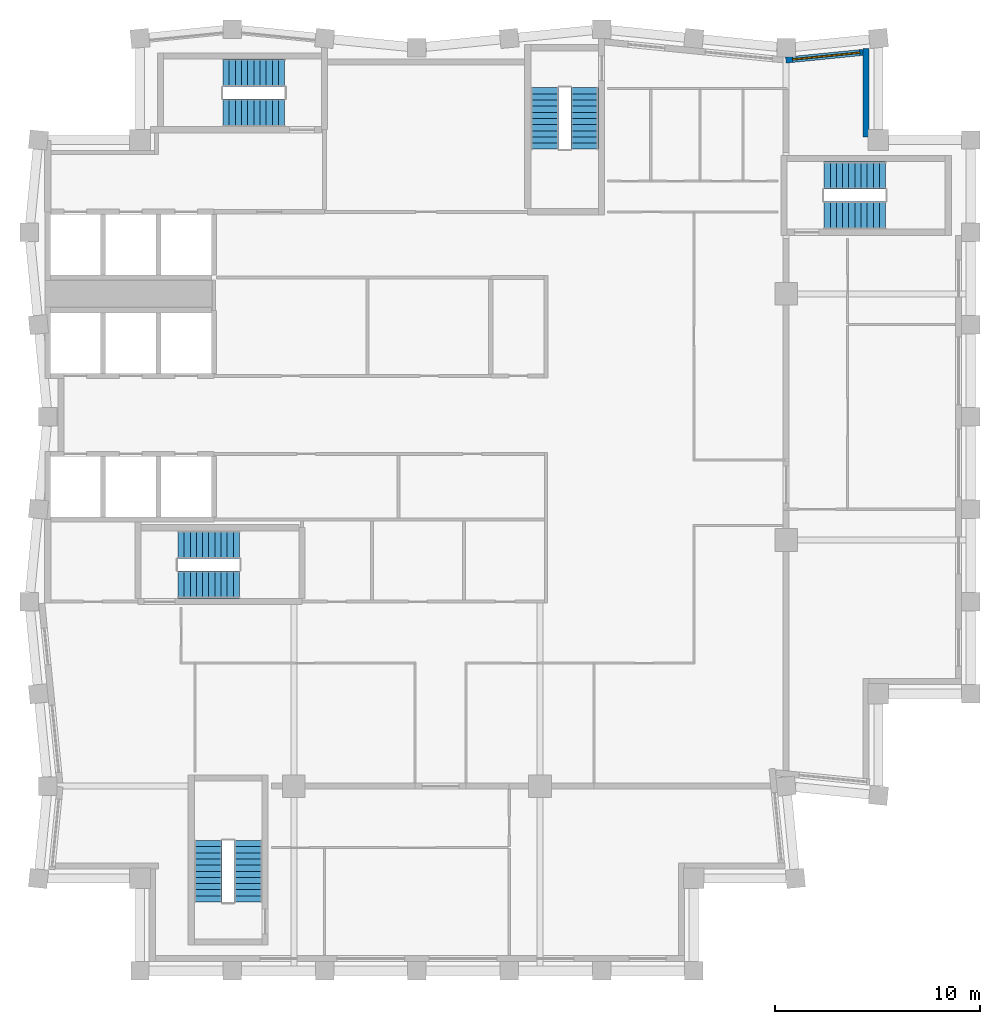
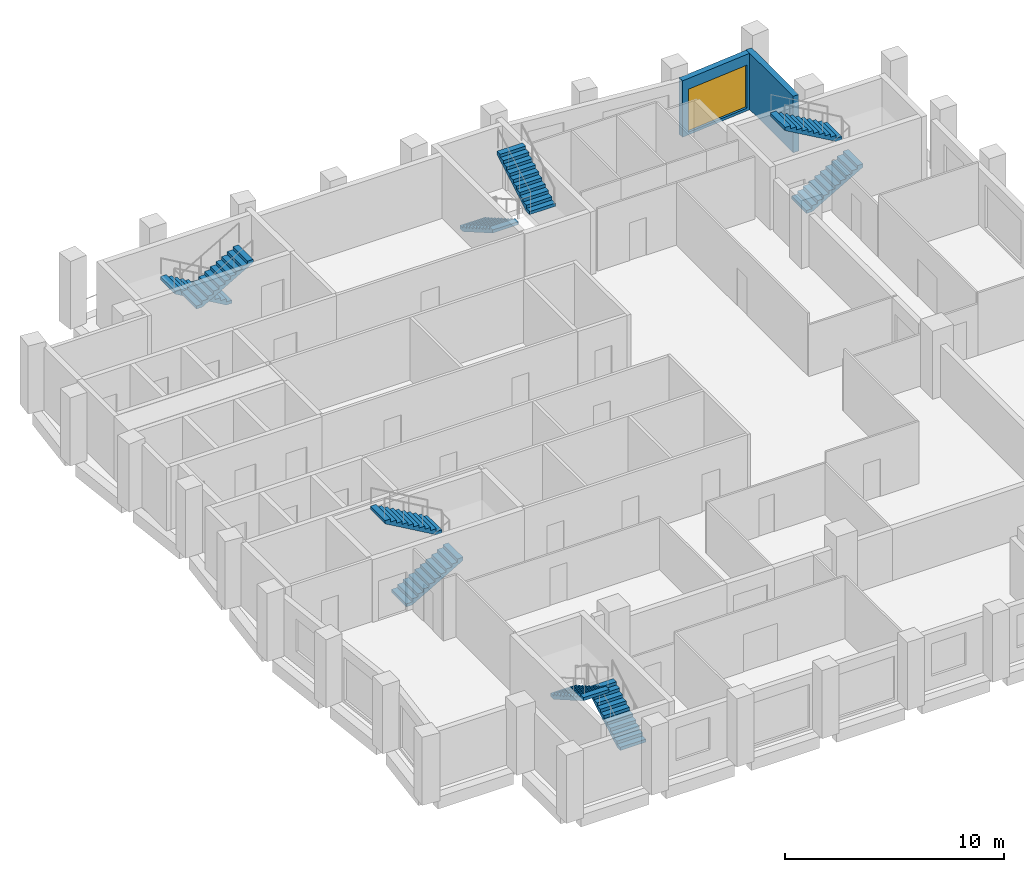
# One storey, part 6 of 7: 10 stair flights, 2 walls, 1 window, 1 opening, 5 elements without a shape of their own.
"""IFC4 building model written with IfcOpenShell, lengths in metres."""

import ifcopenshell
import ifcopenshell.guid

model = None  # the IFC model being written
_history = None  # IfcOwnerHistory: only IFC2X3 demands one
_inside = {}  # id of a spatial element -> (the spatial element, [elements in it])
_under = {}  # id of a project, library or spatial element -> (it, [spatial elements below it])
_declared = {}  # id of a project -> (the project, [libraries it declares])
_typed = {}  # id of a type object -> (the type object, [elements of that type])
_made_of = {}  # id of a material, layer set ... -> (it, [elements and type objects made of it])


def new_model(schema):
    """Start an empty IFC model of exactly this schema.

    Asked for "IFC4X3", IfcOpenShell would pick the latest addendum, in which some entities
    have other attributes; the version numbers below select the first issue.
    IFC2X3 requires an IfcOwnerHistory on every rooted entity: one is made here for all.
    """
    global model, _history
    if schema == "IFC4X3":
        model = ifcopenshell.file(schema_version=(4, 3, 0, 0))
    else:
        model = ifcopenshell.file(schema=schema)
    _inside.clear()
    _under.clear()
    _declared.clear()
    _typed.clear()
    _made_of.clear()
    _history = None
    if model.schema == "IFC2X3":
        org = make("IfcOrganization", Name="unknown")
        user = make(
            "IfcPersonAndOrganization",
            ThePerson=make("IfcPerson", FamilyName="unknown"),
            TheOrganization=org,
        )
        app = make(
            "IfcApplication",
            ApplicationDeveloper=org,
            Version="unknown",
            ApplicationFullName="unknown",
            ApplicationIdentifier="unknown",
        )
        _history = make(
            "IfcOwnerHistory",
            OwningUser=user,
            OwningApplication=app,
            ChangeAction="ADDED",
            CreationDate=0,
        )
    return model


def make(cls, **values):
    """One entity of the class cls with the attributes given. An attribute that is None is left unset."""
    return model.create_entity(
        cls, **{name: value for name, value in values.items() if value is not None}
    )


def rooted(cls, **values):
    """An entity with a GlobalId (a new one), such as an element, a storey or a relation."""
    return make(cls, GlobalId=ifcopenshell.guid.new(), OwnerHistory=_history, **values)


def si_unit(unit_type, name, prefix=None):
    """IfcSIUnit, for example si_unit("LENGTHUNIT", "METRE", prefix="MILLI")."""
    return make("IfcSIUnit", UnitType=unit_type, Prefix=prefix, Name=name)


def assignment(units):
    """IfcUnitAssignment: the units of a project."""
    return None if units is None else make("IfcUnitAssignment", Units=units)


def point(xyz):
    """IfcCartesianPoint."""
    return None if xyz is None else make("IfcCartesianPoint", Coordinates=xyz)


def direction(xyz):
    """IfcDirection."""
    return None if xyz is None else make("IfcDirection", DirectionRatios=xyz)


def frame(location, z_axis=None, x_axis=None):
    """IfcAxis2Placement3D, a coordinate frame: its origin and axes. An axis left out is left unset."""
    return make(
        "IfcAxis2Placement3D",
        Location=point(location),
        Axis=direction(z_axis),
        RefDirection=direction(x_axis),
    )


def frame_2d(location, x_axis=None):
    """IfcAxis2Placement2D, a coordinate frame in the plane: its origin and x axis."""
    return make(
        "IfcAxis2Placement2D", Location=point(location), RefDirection=direction(x_axis)
    )


def origin():
    """The frame at (0, 0, 0) with its axes left unset."""
    return frame((0.0, 0.0, 0.0))


def place(relative_to, where):
    """IfcLocalPlacement: puts the frame where relative to a parent placement (None: the world)."""
    return make(
        "IfcLocalPlacement", PlacementRelTo=relative_to, RelativePlacement=where
    )


def context(
    kind, dimensions, precision=None, world=None, true_north=None, identifier=None
):
    """IfcGeometricRepresentationContext, for example the 3D "Model" context."""
    return make(
        "IfcGeometricRepresentationContext",
        ContextIdentifier=identifier,
        ContextType=kind,
        CoordinateSpaceDimension=dimensions,
        Precision=precision,
        WorldCoordinateSystem=world,
        TrueNorth=true_north,
    )


def subcontext(parent, identifier, kind, view, scale=None):
    """IfcGeometricRepresentationSubContext, for example "Body" below "Model"."""
    return make(
        "IfcGeometricRepresentationSubContext",
        ContextIdentifier=identifier,
        ContextType=kind,
        ParentContext=parent,
        TargetScale=scale,
        TargetView=view,
    )


def project(units=None, contexts=None):
    """IfcProject with its units and contexts."""
    return rooted(
        "IfcProject",
        Name="project",
        RepresentationContexts=contexts,
        UnitsInContext=assignment(units),
    )


def spatial(cls, under=None, at=None, **own):
    """A site, building, storey or space (cls), placed at a placement, below another one or the project."""
    s = rooted(cls, ObjectPlacement=at, **own)
    if under is not None:
        _under.setdefault(under.id(), (under, []))[1].append(s)
    return s


def polyline(points):
    """IfcPolyline through the points."""
    return make("IfcPolyline", Points=[point(p) for p in points])


def profile(cls, at=None, kind="AREA", **sizes):
    """A parametric profile (cls). Its sizes go by their IFC names, for example OverallWidth=200.0."""
    return make(cls, ProfileType=kind, Position=at, **sizes)


def rectangle(**sizes):
    """IfcRectangleProfileDef."""
    return profile("IfcRectangleProfileDef", **sizes)


def outline(outer, holes=None, kind="AREA"):
    """IfcArbitraryClosedProfileDef: a profile drawn as a closed curve; with holes, ...WithVoids."""
    if holes is None:
        return make("IfcArbitraryClosedProfileDef", ProfileType=kind, OuterCurve=outer)
    return make(
        "IfcArbitraryProfileDefWithVoids",
        ProfileType=kind,
        OuterCurve=outer,
        InnerCurves=holes,
    )


def extrude(swept, where, along, depth):
    """IfcExtrudedAreaSolid: the profile swept, set in the frame where, extruded along a direction by depth."""
    return make(
        "IfcExtrudedAreaSolid",
        SweptArea=swept,
        Position=where,
        ExtrudedDirection=direction(along),
        Depth=depth,
    )


def shape(context_of_items, identifier, shape_type, items):
    """IfcShapeRepresentation: the items that make up one representation, for example the "Body"."""
    return make(
        "IfcShapeRepresentation",
        ContextOfItems=context_of_items,
        RepresentationIdentifier=identifier,
        RepresentationType=shape_type,
        Items=items,
    )


def material(Name=None, Category=None):
    """IfcMaterial."""
    return make("IfcMaterial", Name=Name, Category=Category)


def layer(
    of_material, thickness, ventilated=None, Name=None, Category=None, Priority=None
):
    """IfcMaterialLayer: one layer of a wall or slab, of a material (None: an air gap)."""
    return make(
        "IfcMaterialLayer",
        Material=of_material,
        LayerThickness=thickness,
        IsVentilated=ventilated,
        Name=Name,
        Category=Category,
        Priority=Priority,
    )


def layer_set(layers, Name=None):
    """IfcMaterialLayerSet."""
    return make("IfcMaterialLayerSet", MaterialLayers=layers, LayerSetName=Name)


def made_of(thing, what):
    """Note that an element or type object is made of a material, layer set ...; save() writes the relation."""
    if what is not None:
        _made_of.setdefault(what.id(), (what, []))[1].append(thing)
    return thing


def type_object(cls, material=None, **own):
    """A type object (cls), such as IfcWallType, which elements share."""
    return made_of(rooted(cls, **own), material)


def element(
    cls,
    number,
    at=None,
    inside=None,
    cuts=None,
    type_object=None,
    material=None,
    context=None,
    identifier="Body",
    shape_type=None,
    held_by="IfcProductDefinitionShape",
    body=None,
    shapes=None,
    **own,
):
    """One element of the class cls, such as IfcWall. Its Tag is "e" and its number.

    at: its placement. inside: the storey or other place that contains it. cuts: it is an
    opening in that element (IfcRelVoidsElement). A single representation is given by context,
    identifier, shape_type and body (its items); several are given by shapes. held_by: the class
    of the entity that holds the representations. save() writes the other relations.
    """
    e = rooted(cls, Tag="e%d" % number, ObjectPlacement=at, **own)
    if body is not None:
        shapes = [shape(context, identifier, shape_type, body)]
    if shapes is not None:
        e.Representation = make(held_by, Representations=shapes)
    if inside is not None:
        _inside.setdefault(inside.id(), (inside, []))[1].append(e)
    if cuts is not None:
        rooted(
            "IfcRelVoidsElement", RelatingBuildingElement=cuts, RelatedOpeningElement=e
        )
    if type_object is not None:
        _typed.setdefault(type_object.id(), (type_object, []))[1].append(e)
    return made_of(e, material)


def fill(opening, filler):
    """IfcRelFillsElement: the door or window that sits in an opening."""
    return rooted(
        "IfcRelFillsElement",
        RelatingOpeningElement=opening,
        RelatedBuildingElement=filler,
    )


def aggregate(whole, parts):
    """IfcRelAggregates: a whole, such as a stair, and the parts it consists of."""
    return rooted("IfcRelAggregates", RelatingObject=whole, RelatedObjects=parts)


def save(model, path):
    """Write the relations noted so far, then the file.

    IfcRelAggregates (storeys below a building ...), IfcRelContainedInSpatialStructure (elements
    in a storey), IfcRelDefinesByType, IfcRelAssociatesMaterial and IfcRelDeclares: one each for
    every whole, place, type object, material and project.
    """
    for whole, parts in _under.values():
        aggregate(whole, parts)
    for where, things in _inside.values():
        rooted(
            "IfcRelContainedInSpatialStructure",
            RelatedElements=things,
            RelatingStructure=where,
        )
    for kind, things in _typed.values():
        rooted("IfcRelDefinesByType", RelatedObjects=things, RelatingType=kind)
    for what, things in _made_of.values():
        rooted("IfcRelAssociatesMaterial", RelatedObjects=things, RelatingMaterial=what)
    for by, libraries in _declared.values():
        rooted("IfcRelDeclares", RelatingContext=by, RelatedDefinitions=libraries)
    model.write(path)


model = new_model("IFC4")

# Units and contexts
model_context = context("Model", 3, precision=1e-05, world=origin(), true_north=direction((0.0, 1.0)))
body_context = subcontext(model_context, "Body", "Model", "MODEL_VIEW")
ifc_project = project(units=[si_unit("LENGTHUNIT", "METRE"), si_unit("AREAUNIT", "SQUARE_METRE"), si_unit("VOLUMEUNIT", "CUBIC_METRE"), si_unit("PLANEANGLEUNIT", "RADIAN"), si_unit("MASSUNIT", "GRAM", prefix="KILO")], contexts=[model_context])

# Site, building, storey
site_placement = place(None, origin())
site = spatial("IfcSite", under=ifc_project, at=site_placement, CompositionType="ELEMENT")
building_placement = place(site_placement, origin())
building = spatial("IfcBuilding", under=site, at=building_placement, Name="Brondeck Convention Tower", CompositionType="ELEMENT")
storey_placement = place(building_placement, frame((0.0, 0.0, 260.0)))
storey = spatial("IfcBuildingStorey", under=building, at=storey_placement, Name="L64", CompositionType="ELEMENT", Elevation=260.0)

# Wall
ifc_material_1 = material(Name="Precast concrete C50/60 bronze finish", Category="concrete")
ifc_layer_1 = layer(ifc_material_1, 0.070068359375, Name="Bronze precast facing")
ifc_material_2 = material(Name="Mineral wool")
ifc_layer_2 = layer(ifc_material_2, 0.159912109375, Name="Insulation")
ifc_material_3 = material(Name="Concrete C35/45", Category="concrete")
ifc_layer_3 = layer(ifc_material_3, 0.070068359375, Name="Backing")
ifc_layer_set = layer_set([ifc_layer_1, ifc_layer_2, ifc_layer_3], Name="External infill wall, precast concrete C50/60 bronze facing")
wall_type = type_object("IfcWallType", Name="External infill wall, precast concrete C50/60 bronze facing", PredefinedType="SOLIDWALL", material=ifc_layer_set)
wall_1_placement = place(storey_placement, frame((39.89990234375, 62.952880859375, 0.0), z_axis=(0.0, 0.0, 1.0), x_axis=(0.0, -1.0, 0.0)))
element("IfcWall", 1, at=wall_1_placement, inside=storey, type_object=wall_type, Name="ENV-EW-L64-P3-NC-NEA45-02", PredefinedType="SOLIDWALL", context=body_context, shape_type="SweptSolid", body=[
    extrude(rectangle(XDim=4.302978515625, YDim=0.300048828125, at=frame_2d((2.1513671875, 0.0))), origin(), (0.0, 0.0, 1.0), 3.14990234375),
])

# Wall, opening, window
wall_2_placement = place(storey_placement, frame((35.985107421875, 62.3955078125, 0.0), z_axis=(0.0, 0.0, 1.0), x_axis=(0.99503719021, 0.099503719021, 0.0)))
wall_2 = element("IfcWall", 2, at=wall_2_placement, inside=storey, type_object=wall_type, Name="ENV-EW-L64-P3-A-N-08", PredefinedType="SOLIDWALL", context=body_context, shape_type="SweptSolid", body=[
    extrude(rectangle(XDim=3.778564453125, YDim=0.300048828125, at=frame_2d((1.88916015625, 0.0))), origin(), (0.0, 0.0, 1.0), 3.14990234375),
])
opening_placement = place(wall_2_placement, frame((0.32861328125, 0.0, 0.14990234375)))
opening = element("IfcOpeningElement", 3, at=opening_placement, cuts=wall_2, Name="Opening W9", PredefinedType="OPENING", context=body_context, shape_type="SweptSolid", body=[
    extrude(rectangle(XDim=3.300048828125, YDim=2.39990234375, at=frame_2d((1.64990234375, 1.199951171875))), frame((0.0, 0.159912109375, 0.0), z_axis=(0.0, -1.0, 0.0), x_axis=(1.0, 0.0, 0.0)), (0.0, 0.0, 1.0), 0.320068359375),
])
ifc_material_4 = material(Name="Bronze tinted double glazing", Category="glass")
window_type = type_object("IfcWindowType", Name="Glazed flute window, bronze tinted", PartitioningType="SINGLE_PANEL", PredefinedType="WINDOW", material=ifc_material_4)
window_placement = place(opening_placement, origin())
window = element("IfcWindow", 4, at=window_placement, inside=storey, type_object=window_type, Name="ENV-WN-L64-P3-A-N-08", OverallHeight=2.39990234375, OverallWidth=3.300048828125, PartitioningType="SINGLE_PANEL", PredefinedType="WINDOW", context=body_context, shape_type="SweptSolid", body=[
    extrude(rectangle(XDim=3.300048828125, YDim=2.39990234375, at=frame_2d((1.64990234375, 1.199951171875))), frame((0.0, 0.030029296875, 0.0), z_axis=(0.0, -1.0, 0.0), x_axis=(1.0, 0.0, 0.0)), (0.0, 0.0, 1.0), 0.06005859375),
])
fill(opening, window)

# Stair, stair flights
ifc_material_5 = material(Name="Precast concrete C50/60", Category="concrete")
stair_type = type_object("IfcStairType", Name="Core stair 22 risers 172.73 mm riser 300 mm going 1350 wide", PredefinedType="HALF_TURN_STAIR", material=ifc_material_5)
stair_1_placement = place(storey_placement, origin())
stair_1 = element("IfcStair", 5, at=stair_1_placement, inside=storey, type_object=stair_type, Name="ST-1 L64 stair", PredefinedType="HALF_TURN_STAIR")
stair_flight_type = type_object("IfcStairFlightType", Name="Core stair flight 22 risers 172.73 mm riser 300 mm going 1350 wide", PredefinedType="STRAIGHT", material=ifc_material_5)
stair_flight_1_placement = place(storey_placement, frame((6.35009765625, 36.824951171875, 0.0), z_axis=(0.0, 0.0, 1.0), x_axis=(1.0, 0.0, 0.0)))
stair_flight_1 = element("IfcStairFlight", 6, at=stair_flight_1_placement, type_object=stair_flight_type, Name="ST-1 flight 1", NumberOfRisers=11, NumberOfTreads=10, PredefinedType="STRAIGHT", RiserHeight=0.172727273, TreadLength=0.3, context=body_context, shape_type="SweptSolid", body=[
    extrude(outline(polyline([(0.0, 0.0), (0.0, 0.172607421875), (0.300048828125, 0.172607421875), (0.300048828125, 0.345458984375), (0.60009765625, 0.345458984375), (0.60009765625, 0.51806640625), (0.89990234375, 0.51806640625), (0.89990234375, 0.69091796875), (1.199951171875, 0.69091796875), (1.199951171875, 0.863525390625), (1.5, 0.863525390625), (1.5, 1.036376953125), (1.800048828125, 1.036376953125), (1.800048828125, 1.208984375), (2.10009765625, 1.208984375), (2.10009765625, 1.3818359375), (2.39990234375, 1.3818359375), (2.39990234375, 1.554443359375), (2.699951171875, 1.554443359375), (2.699951171875, 1.727294921875), (3.0, 1.727294921875), (3.0, 1.89990234375), (3.0, 1.55419921875), (0.300537109375, 0.0), (0.0, 0.0)])), frame((0.0, 0.675048828125, 0.0), z_axis=(0.0, -1.0, 0.0), x_axis=(1.0, 0.0, 0.0)), (0.0, 0.0, 1.0), 1.35009765625),
])
stair_flight_2_placement = place(storey_placement, frame((9.35009765625, 38.77490234375, 1.89990234375), z_axis=(0.0, 0.0, 1.0), x_axis=(-1.0, 0.0, 0.0)))
stair_flight_2 = element("IfcStairFlight", 7, at=stair_flight_2_placement, type_object=stair_flight_type, Name="ST-1 flight 2", NumberOfRisers=11, NumberOfTreads=10, PredefinedType="STRAIGHT", RiserHeight=0.172727273, TreadLength=0.3, context=body_context, shape_type="SweptSolid", body=[
    extrude(outline(polyline([(0.0, 0.0), (0.0, 0.172607421875), (0.300048828125, 0.172607421875), (0.300048828125, 0.345458984375), (0.60009765625, 0.345458984375), (0.60009765625, 0.51806640625), (0.89990234375, 0.51806640625), (0.89990234375, 0.69091796875), (1.199951171875, 0.69091796875), (1.199951171875, 0.863525390625), (1.5, 0.863525390625), (1.5, 1.036376953125), (1.800048828125, 1.036376953125), (1.800048828125, 1.208984375), (2.10009765625, 1.208984375), (2.10009765625, 1.3818359375), (2.39990234375, 1.3818359375), (2.39990234375, 1.554443359375), (2.699951171875, 1.554443359375), (2.699951171875, 1.727294921875), (3.0, 1.727294921875), (3.0, 1.89990234375), (3.0, 1.55419921875), (0.300537109375, 0.0), (0.0, 0.0)])), frame((0.0, 0.675048828125, 0.0), z_axis=(0.0, -1.0, 0.0), x_axis=(1.0, 0.0, 0.0)), (0.0, 0.0, 1.0), 1.35009765625),
])
aggregate(stair_1, [stair_flight_1, stair_flight_2])

stair_2_placement = place(storey_placement, origin())
stair_2 = element("IfcStair", 8, at=stair_2_placement, inside=storey, type_object=stair_type, Name="ST-2 L64 stair", PredefinedType="HALF_TURN_STAIR")
stair_flight_3_placement = place(storey_placement, frame((24.22509765625, 61.050048828125, 0.0), z_axis=(0.0, 0.0, 1.0), x_axis=(0.0, -1.0, 0.0)))
stair_flight_3 = element("IfcStairFlight", 9, at=stair_flight_3_placement, type_object=stair_flight_type, Name="ST-2 flight 1", NumberOfRisers=11, NumberOfTreads=10, PredefinedType="STRAIGHT", RiserHeight=0.172727273, TreadLength=0.3, context=body_context, shape_type="SweptSolid", body=[
    extrude(outline(polyline([(0.0, 0.0), (0.0, 0.172607421875), (0.300048828125, 0.172607421875), (0.300048828125, 0.345458984375), (0.60009765625, 0.345458984375), (0.60009765625, 0.51806640625), (0.89990234375, 0.51806640625), (0.89990234375, 0.69091796875), (1.199951171875, 0.69091796875), (1.199951171875, 0.863525390625), (1.5, 0.863525390625), (1.5, 1.036376953125), (1.800048828125, 1.036376953125), (1.800048828125, 1.208984375), (2.10009765625, 1.208984375), (2.10009765625, 1.3818359375), (2.39990234375, 1.3818359375), (2.39990234375, 1.554443359375), (2.699951171875, 1.554443359375), (2.699951171875, 1.727294921875), (3.0, 1.727294921875), (3.0, 1.89990234375), (3.0, 1.55419921875), (0.300537109375, 0.0), (0.0, 0.0)])), frame((0.0, 0.675048828125, 0.0), z_axis=(0.0, -1.0, 0.0), x_axis=(1.0, 0.0, 0.0)), (0.0, 0.0, 1.0), 1.35009765625),
])
stair_flight_4_placement = place(storey_placement, frame((26.175048828125, 58.050048828125, 1.89990234375), z_axis=(0.0, 0.0, 1.0), x_axis=(0.0, 1.0, 0.0)))
stair_flight_4 = element("IfcStairFlight", 10, at=stair_flight_4_placement, type_object=stair_flight_type, Name="ST-2 flight 2", NumberOfRisers=11, NumberOfTreads=10, PredefinedType="STRAIGHT", RiserHeight=0.172727273, TreadLength=0.3, context=body_context, shape_type="SweptSolid", body=[
    extrude(outline(polyline([(0.0, 0.0), (0.0, 0.172607421875), (0.300048828125, 0.172607421875), (0.300048828125, 0.345458984375), (0.60009765625, 0.345458984375), (0.60009765625, 0.51806640625), (0.89990234375, 0.51806640625), (0.89990234375, 0.69091796875), (1.199951171875, 0.69091796875), (1.199951171875, 0.863525390625), (1.5, 0.863525390625), (1.5, 1.036376953125), (1.800048828125, 1.036376953125), (1.800048828125, 1.208984375), (2.10009765625, 1.208984375), (2.10009765625, 1.3818359375), (2.39990234375, 1.3818359375), (2.39990234375, 1.554443359375), (2.699951171875, 1.554443359375), (2.699951171875, 1.727294921875), (3.0, 1.727294921875), (3.0, 1.89990234375), (3.0, 1.55419921875), (0.300537109375, 0.0), (0.0, 0.0)])), frame((0.0, 0.675048828125, 0.0), z_axis=(0.0, -1.0, 0.0), x_axis=(1.0, 0.0, 0.0)), (0.0, 0.0, 1.0), 1.35009765625),
])
aggregate(stair_2, [stair_flight_3, stair_flight_4])

stair_3_placement = place(storey_placement, origin())
stair_3 = element("IfcStair", 11, at=stair_3_placement, inside=storey, type_object=stair_type, Name="ST-3 L64 stair", PredefinedType="HALF_TURN_STAIR")
stair_flight_5_placement = place(storey_placement, frame((11.550048828125, 61.77490234375, 0.0), z_axis=(0.0, 0.0, 1.0), x_axis=(-1.0, 0.0, 0.0)))
stair_flight_5 = element("IfcStairFlight", 12, at=stair_flight_5_placement, type_object=stair_flight_type, Name="ST-3 flight 1", NumberOfRisers=11, NumberOfTreads=10, PredefinedType="STRAIGHT", RiserHeight=0.172727273, TreadLength=0.3, context=body_context, shape_type="SweptSolid", body=[
    extrude(outline(polyline([(0.0, 0.0), (0.0, 0.172607421875), (0.300048828125, 0.172607421875), (0.300048828125, 0.345458984375), (0.60009765625, 0.345458984375), (0.60009765625, 0.51806640625), (0.89990234375, 0.51806640625), (0.89990234375, 0.69091796875), (1.199951171875, 0.69091796875), (1.199951171875, 0.863525390625), (1.5, 0.863525390625), (1.5, 1.036376953125), (1.800048828125, 1.036376953125), (1.800048828125, 1.208984375), (2.10009765625, 1.208984375), (2.10009765625, 1.3818359375), (2.39990234375, 1.3818359375), (2.39990234375, 1.554443359375), (2.699951171875, 1.554443359375), (2.699951171875, 1.727294921875), (3.0, 1.727294921875), (3.0, 1.89990234375), (3.0, 1.55419921875), (0.300537109375, 0.0), (0.0, 0.0)])), frame((0.0, 0.675048828125, 0.0), z_axis=(0.0, -1.0, 0.0), x_axis=(1.0, 0.0, 0.0)), (0.0, 0.0, 1.0), 1.35009765625),
])
stair_flight_6_placement = place(storey_placement, frame((8.550048828125, 59.824951171875, 1.89990234375), z_axis=(0.0, 0.0, 1.0), x_axis=(1.0, 0.0, 0.0)))
stair_flight_6 = element("IfcStairFlight", 13, at=stair_flight_6_placement, type_object=stair_flight_type, Name="ST-3 flight 2", NumberOfRisers=11, NumberOfTreads=10, PredefinedType="STRAIGHT", RiserHeight=0.172727273, TreadLength=0.3, context=body_context, shape_type="SweptSolid", body=[
    extrude(outline(polyline([(0.0, 0.0), (0.0, 0.172607421875), (0.300048828125, 0.172607421875), (0.300048828125, 0.345458984375), (0.60009765625, 0.345458984375), (0.60009765625, 0.51806640625), (0.89990234375, 0.51806640625), (0.89990234375, 0.69091796875), (1.199951171875, 0.69091796875), (1.199951171875, 0.863525390625), (1.5, 0.863525390625), (1.5, 1.036376953125), (1.800048828125, 1.036376953125), (1.800048828125, 1.208984375), (2.10009765625, 1.208984375), (2.10009765625, 1.3818359375), (2.39990234375, 1.3818359375), (2.39990234375, 1.554443359375), (2.699951171875, 1.554443359375), (2.699951171875, 1.727294921875), (3.0, 1.727294921875), (3.0, 1.89990234375), (3.0, 1.55419921875), (0.300537109375, 0.0), (0.0, 0.0)])), frame((0.0, 0.675048828125, 0.0), z_axis=(0.0, -1.0, 0.0), x_axis=(1.0, 0.0, 0.0)), (0.0, 0.0, 1.0), 1.35009765625),
])
aggregate(stair_3, [stair_flight_5, stair_flight_6])

stair_4_placement = place(storey_placement, origin())
stair_4 = element("IfcStair", 14, at=stair_4_placement, inside=storey, type_object=stair_type, Name="ST-AE L64 stair", PredefinedType="HALF_TURN_STAIR")
stair_flight_7_placement = place(storey_placement, frame((37.85009765625, 54.824951171875, 0.0), z_axis=(0.0, 0.0, 1.0), x_axis=(1.0, 0.0, 0.0)))
stair_flight_7 = element("IfcStairFlight", 15, at=stair_flight_7_placement, type_object=stair_flight_type, Name="ST-AE flight 1", NumberOfRisers=11, NumberOfTreads=10, PredefinedType="STRAIGHT", RiserHeight=0.172727273, TreadLength=0.3, context=body_context, shape_type="SweptSolid", body=[
    extrude(outline(polyline([(0.0, 0.0), (0.0, 0.172607421875), (0.300048828125, 0.172607421875), (0.300048828125, 0.345458984375), (0.60009765625, 0.345458984375), (0.60009765625, 0.51806640625), (0.89990234375, 0.51806640625), (0.89990234375, 0.69091796875), (1.199951171875, 0.69091796875), (1.199951171875, 0.863525390625), (1.5, 0.863525390625), (1.5, 1.036376953125), (1.800048828125, 1.036376953125), (1.800048828125, 1.208984375), (2.10009765625, 1.208984375), (2.10009765625, 1.3818359375), (2.39990234375, 1.3818359375), (2.39990234375, 1.554443359375), (2.699951171875, 1.554443359375), (2.699951171875, 1.727294921875), (3.0, 1.727294921875), (3.0, 1.89990234375), (3.0, 1.55419921875), (0.300537109375, 0.0), (0.0, 0.0)])), frame((0.0, 0.675048828125, 0.0), z_axis=(0.0, -1.0, 0.0), x_axis=(1.0, 0.0, 0.0)), (0.0, 0.0, 1.0), 1.35009765625),
])
stair_flight_8_placement = place(storey_placement, frame((40.85009765625, 56.77490234375, 1.89990234375), z_axis=(0.0, 0.0, 1.0), x_axis=(-1.0, 0.0, 0.0)))
stair_flight_8 = element("IfcStairFlight", 16, at=stair_flight_8_placement, type_object=stair_flight_type, Name="ST-AE flight 2", NumberOfRisers=11, NumberOfTreads=10, PredefinedType="STRAIGHT", RiserHeight=0.172727273, TreadLength=0.3, context=body_context, shape_type="SweptSolid", body=[
    extrude(outline(polyline([(0.0, 0.0), (0.0, 0.172607421875), (0.300048828125, 0.172607421875), (0.300048828125, 0.345458984375), (0.60009765625, 0.345458984375), (0.60009765625, 0.51806640625), (0.89990234375, 0.51806640625), (0.89990234375, 0.69091796875), (1.199951171875, 0.69091796875), (1.199951171875, 0.863525390625), (1.5, 0.863525390625), (1.5, 1.036376953125), (1.800048828125, 1.036376953125), (1.800048828125, 1.208984375), (2.10009765625, 1.208984375), (2.10009765625, 1.3818359375), (2.39990234375, 1.3818359375), (2.39990234375, 1.554443359375), (2.699951171875, 1.554443359375), (2.699951171875, 1.727294921875), (3.0, 1.727294921875), (3.0, 1.89990234375), (3.0, 1.55419921875), (0.300537109375, 0.0), (0.0, 0.0)])), frame((0.0, 0.675048828125, 0.0), z_axis=(0.0, -1.0, 0.0), x_axis=(1.0, 0.0, 0.0)), (0.0, 0.0, 1.0), 1.35009765625),
])
aggregate(stair_4, [stair_flight_7, stair_flight_8])

stair_5_placement = place(storey_placement, origin())
stair_5 = element("IfcStair", 17, at=stair_5_placement, inside=storey, type_object=stair_type, Name="ST-BE L64 stair", PredefinedType="HALF_TURN_STAIR")
stair_flight_9_placement = place(storey_placement, frame((9.77490234375, 21.35009765625, 0.0), z_axis=(0.0, 0.0, 1.0), x_axis=(0.0, 1.0, 0.0)))
stair_flight_9 = element("IfcStairFlight", 18, at=stair_flight_9_placement, type_object=stair_flight_type, Name="ST-BE flight 1", NumberOfRisers=11, NumberOfTreads=10, PredefinedType="STRAIGHT", RiserHeight=0.172727273, TreadLength=0.3, context=body_context, shape_type="SweptSolid", body=[
    extrude(outline(polyline([(0.0, 0.0), (0.0, 0.172607421875), (0.300048828125, 0.172607421875), (0.300048828125, 0.345458984375), (0.60009765625, 0.345458984375), (0.60009765625, 0.51806640625), (0.89990234375, 0.51806640625), (0.89990234375, 0.69091796875), (1.199951171875, 0.69091796875), (1.199951171875, 0.863525390625), (1.5, 0.863525390625), (1.5, 1.036376953125), (1.800048828125, 1.036376953125), (1.800048828125, 1.208984375), (2.10009765625, 1.208984375), (2.10009765625, 1.3818359375), (2.39990234375, 1.3818359375), (2.39990234375, 1.554443359375), (2.699951171875, 1.554443359375), (2.699951171875, 1.727294921875), (3.0, 1.727294921875), (3.0, 1.89990234375), (3.0, 1.55419921875), (0.300537109375, 0.0), (0.0, 0.0)])), frame((0.0, 0.675048828125, 0.0), z_axis=(0.0, -1.0, 0.0), x_axis=(1.0, 0.0, 0.0)), (0.0, 0.0, 1.0), 1.35009765625),
])
stair_flight_10_placement = place(storey_placement, frame((7.824951171875, 24.35009765625, 1.89990234375), z_axis=(0.0, 0.0, 1.0), x_axis=(0.0, -1.0, 0.0)))
stair_flight_10 = element("IfcStairFlight", 19, at=stair_flight_10_placement, type_object=stair_flight_type, Name="ST-BE flight 2", NumberOfRisers=11, NumberOfTreads=10, PredefinedType="STRAIGHT", RiserHeight=0.172727273, TreadLength=0.3, context=body_context, shape_type="SweptSolid", body=[
    extrude(outline(polyline([(0.0, 0.0), (0.0, 0.172607421875), (0.300048828125, 0.172607421875), (0.300048828125, 0.345458984375), (0.60009765625, 0.345458984375), (0.60009765625, 0.51806640625), (0.89990234375, 0.51806640625), (0.89990234375, 0.69091796875), (1.199951171875, 0.69091796875), (1.199951171875, 0.863525390625), (1.5, 0.863525390625), (1.5, 1.036376953125), (1.800048828125, 1.036376953125), (1.800048828125, 1.208984375), (2.10009765625, 1.208984375), (2.10009765625, 1.3818359375), (2.39990234375, 1.3818359375), (2.39990234375, 1.554443359375), (2.699951171875, 1.554443359375), (2.699951171875, 1.727294921875), (3.0, 1.727294921875), (3.0, 1.89990234375), (3.0, 1.55419921875), (0.300537109375, 0.0), (0.0, 0.0)])), frame((0.0, 0.675048828125, 0.0), z_axis=(0.0, -1.0, 0.0), x_axis=(1.0, 0.0, 0.0)), (0.0, 0.0, 1.0), 1.35009765625),
])
aggregate(stair_5, [stair_flight_9, stair_flight_10])

save(model, "model.ifc")
